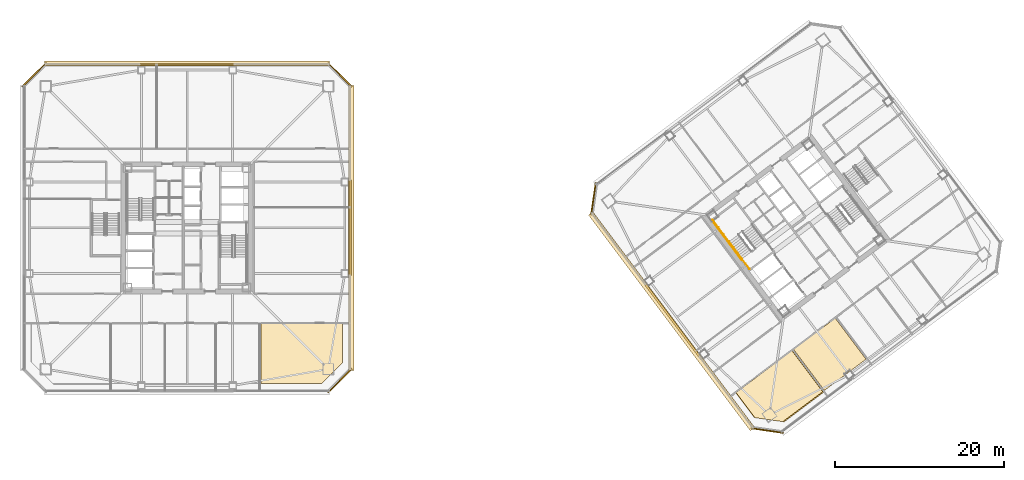
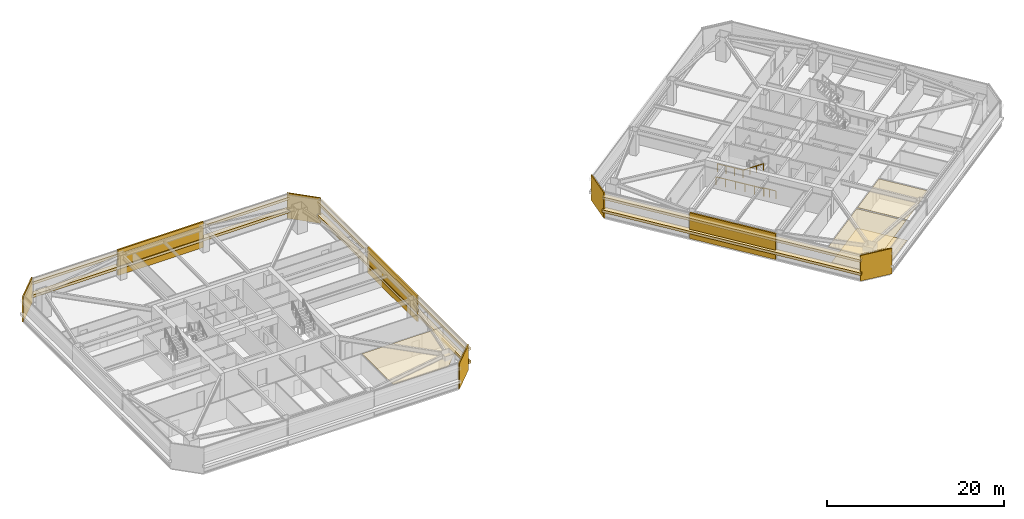
# One storey, part 38 of 41: 18 coverings, 4 railings.
"""IFC4 building model written with IfcOpenShell, lengths in metres."""

from ifc_helpers import new_model, si_unit, direction, frame, origin, origin_2d, place, context, subcontext, project, spatial, polyline, rectangle, outline, extrude, material, layer, layer_set, type_object, element, save


model = new_model("IFC4")

# Units and contexts
model_context = context("Model", 3, precision=1e-05, world=origin(), true_north=direction((0.0, 1.0)))
body_context = subcontext(model_context, "Body", "Model", "MODEL_VIEW")
ifc_project = project(units=[si_unit("LENGTHUNIT", "METRE"), si_unit("AREAUNIT", "SQUARE_METRE"), si_unit("VOLUMEUNIT", "CUBIC_METRE"), si_unit("PLANEANGLEUNIT", "RADIAN"), si_unit("MASSUNIT", "GRAM", prefix="KILO")], contexts=[model_context])

# Site, building, storey
site_placement = place(None, origin())
site = spatial("IfcSite", under=ifc_project, at=site_placement, CompositionType="ELEMENT")
building_placement = place(site_placement, origin())
building = spatial("IfcBuilding", under=site, at=building_placement, Name="Tashvorn Skyway Center", CompositionType="ELEMENT")
storey_placement = place(building_placement, frame((0.0, 0.0, 117.949951171875)))
storey = spatial("IfcBuildingStorey", under=building, at=storey_placement, Name="L31", CompositionType="ELEMENT", Elevation=117.949951171875)

# Coverings
ifc_material_1 = material(Name="Precast concrete C40/50", Category="concrete")
ifc_layer_1 = layer(ifc_material_1, 0.199951171875)
ifc_layer_set_1 = layer_set([ifc_layer_1], Name="Precast concrete C40/50")
covering_type_1 = type_object("IfcCoveringType", Name="COV-BRACE-CLAD", PredefinedType="CLADDING", material=ifc_layer_set_1)
for number, where, z_axis, x_axis, name in (
    (1, (42.0, 51.280029296875, 0.0), (0.0, 0.0, 1.0), (1.0, 0.0, 0.0), "Tower 1 L31 North Unitised Curtain Wall Mega-Brace Cladding Band 1"),
    (2, (61.280029296875, 32.0, 0.0), (0.0, 0.0, 1.0), (0.0, -1.0, 0.0), "Tower 1 L31 East Unitised Curtain Wall Mega-Brace Cladding Band 1"),
):
    element("IfcCovering", number, at=place(storey_placement, frame(where, z_axis=z_axis, x_axis=x_axis)), inside=storey, type_object=covering_type_1, Name=name, PredefinedType="CLADDING", context=body_context, shape_type="SweptSolid", body=[
        extrude(rectangle(XDim=11.1865234375, YDim=0.199951171875, at=origin_2d()), origin(), (0.0, 0.0, 1.0), 3.550048828125),
    ])
covering_1_placement = place(storey_placement, frame((99.3759765625, 21.031982421875, 0.0), z_axis=(0.0, 0.0, 1.0), x_axis=(-0.600000004945, 0.799999996291, 0.0)))
element("IfcCovering", 3, at=covering_1_placement, inside=storey, type_object=covering_type_1, Name="Tower 2 L31 West Unitised Curtain Wall Mega-Brace Cladding Band 1", PredefinedType="CLADDING", context=body_context, shape_type="SweptSolid", body=[
    extrude(rectangle(XDim=10.586669921875, YDim=0.199951171875, at=origin_2d()), origin(), (0.0, 0.0, 1.0), 3.550048828125),
])
ifc_material_2 = material(Name="Mineral-fibre acoustic ceiling tile on suspended grid")
ifc_layer_2 = layer(ifc_material_2, 0.02001953125)
ifc_layer_set_2 = layer_set([ifc_layer_2], Name="Mineral-fibre acoustic ceiling tile on suspended grid")
covering_type_2 = type_object("IfcCoveringType", Name="COV-CEIL-20", PredefinedType="CEILING", material=ifc_layer_set_2)
covering_2_placement = place(storey_placement, frame((0.0, 0.0, 2.703125)))
element("IfcCovering", 4, at=covering_2_placement, inside=storey, type_object=covering_type_2, Name="Tower 1 L31 Open Plan Office Acoustic Ceiling", PredefinedType="CEILING", context=body_context, shape_type="SweptSolid", body=[
    extrude(outline(polyline([(50.719970703125, 13.6201171875), (50.719970703125, 20.68994140625), (60.3798828125, 20.68994140625), (60.3798828125, 16.080078125), (57.919921875, 13.6201171875), (50.719970703125, 13.6201171875)])), origin(), (0.0, 0.0, 1.0), 0.02001953125),
])
covering_3_placement = place(storey_placement, frame((0.0, 0.0, 2.703125)))
element("IfcCovering", 5, at=covering_3_placement, inside=storey, type_object=covering_type_2, Name="Tower 2 L31 Executive Study Lounge Acoustic Ceiling", PredefinedType="CEILING", context=body_context, shape_type="SweptSolid", body=[
    extrude(outline(polyline([(106.882080078125, 12.52392578125), (113.489990234375, 17.47998046875), (117.132080078125, 12.6240234375), (112.412109375, 9.083984375), (109.10791015625, 9.555908203125), (106.882080078125, 12.52392578125)])), origin(), (0.0, 0.0, 1.0), 0.02001953125),
])
covering_4_placement = place(storey_placement, frame((0.0, 0.0, 2.703125)))
element("IfcCovering", 6, at=covering_4_placement, inside=storey, type_object=covering_type_2, Name="Tower 2 L31 Design Studio Acoustic Ceiling", PredefinedType="CEILING", context=body_context, shape_type="SweptSolid", body=[
    extrude(outline(polyline([(113.681884765625, 17.6240234375), (118.610107421875, 21.320068359375), (122.251953125, 16.464111328125), (117.323974609375, 12.76806640625), (113.681884765625, 17.6240234375)])), origin(), (0.0, 0.0, 1.0), 0.02001953125),
])
ifc_material_3 = material(Name="Polished Mojave desert-aggregate terrazzo and cover plate")
ifc_layer_3 = layer(ifc_material_3, 0.0400390625)
ifc_layer_set_3 = layer_set([ifc_layer_3], Name="Polished Mojave desert-aggregate terrazzo and cover plate")
covering_type_3 = type_object("IfcCoveringType", Name="COV-FLR-40", PredefinedType="FLOORING", material=ifc_layer_set_3)
covering_5_placement = place(storey_placement, origin())
element("IfcCovering", 7, at=covering_5_placement, inside=storey, type_object=covering_type_3, Name="Tower 2 L31 Executive Study Lounge Finish Flooring", PredefinedType="FLOORING", context=body_context, shape_type="SweptSolid", body=[
    extrude(outline(polyline([(112.580078125, 9.06005859375), (109.052001953125, 9.56396484375), (106.8740234375, 12.468017578125), (113.5458984375, 17.471923828125), (117.236083984375, 12.552001953125), (112.580078125, 9.06005859375)])), origin(), (0.0, 0.0, 1.0), 0.0400390625),
])
ifc_material_4 = material(Name="Perforated ceramic-coated bronze aluminium solar screen", Category="aluminium")
ifc_layer_4 = layer(ifc_material_4, 0.85009765625)
ifc_layer_set_4 = layer_set([ifc_layer_4], Name="Perforated ceramic-coated bronze aluminium solar screen")
covering_type_4 = type_object("IfcCoveringType", Name="COV-SOLAR-BAND", PredefinedType="CLADDING", material=ifc_layer_set_4)
for number, where, z_axis, x_axis, name in (
    (8, (42.0, 51.419921875, 0.919921875), (0.0, 0.0, 1.0), (1.0, 0.0, 0.0), "L31 Perforated Ceramic-Metal Solar Screen Louvre Band North 1"),
    (9, (42.0, 51.419921875, 2.72021484375), (0.0, 0.0, 1.0), (1.0, 0.0, 0.0), "L31 Perforated Ceramic-Metal Solar Screen Louvre Band North 2"),
    (10, (61.419921875, 32.0, 0.919921875), (0.0, 0.0, 1.0), (0.0, -1.0, 0.0), "L31 Perforated Ceramic-Metal Solar Screen Louvre Band East 1"),
    (11, (61.419921875, 32.0, 2.72021484375), (0.0, 0.0, 1.0), (0.0, -1.0, 0.0), "L31 Perforated Ceramic-Metal Solar Screen Louvre Band East 2"),
):
    element("IfcCovering", number, at=place(storey_placement, frame(where, z_axis=z_axis, x_axis=x_axis)), inside=storey, type_object=covering_type_4, Name=name, PredefinedType="CLADDING", context=body_context, shape_type="SweptSolid", body=[
        extrude(rectangle(XDim=33.679931640625, YDim=0.639892578125, at=origin_2d()), origin(), (0.0, 0.0, 1.0), 0.360107421875),
    ])
for number, where, z_axis, x_axis, name in (
    (12, (99.263916015625, 20.947998046875, 0.919921875), (0.0, 0.0, 1.0), (-0.600000004945, 0.799999996291, 0.0), "L31 Perforated Ceramic-Metal Solar Screen Louvre Band West 1"),
    (13, (99.263916015625, 20.947998046875, 2.72021484375), (0.0, 0.0, 1.0), (-0.600000004945, 0.799999996291, 0.0), "L31 Perforated Ceramic-Metal Solar Screen Louvre Band West 2"),
):
    element("IfcCovering", number, at=place(storey_placement, frame(where, z_axis=z_axis, x_axis=x_axis)), inside=storey, type_object=covering_type_4, Name=name, PredefinedType="CLADDING", context=body_context, shape_type="SweptSolid", body=[
        extrude(rectangle(XDim=31.8798828125, YDim=0.639892578125, at=origin_2d()), origin(), (0.0, 0.0, 1.0), 0.360107421875),
    ])
ifc_layer_5 = layer(ifc_material_1, 0.35009765625)
ifc_layer_set_5 = layer_set([ifc_layer_5], Name="Precast concrete C40/50")
covering_type_5 = type_object("IfcCoveringType", Name="COV-STONE-TRIM", PredefinedType="CLADDING", material=ifc_layer_set_5)
for number, where, z_axis, x_axis, name in (
    (14, (23.929931640625, 50.070068359375, 0.02001953125), (0.0, 0.0, 1.0), (-0.707106781187, -0.707106781187, 0.0), "Tower 1 L31 NW Mojave Limestone Corner Quoin"),
    (15, (60.070068359375, 50.070068359375, 0.02001953125), (0.0, 0.0, 1.0), (0.707106781187, -0.707106781187, 0.0), "Tower 1 L31 NE Mojave Limestone Corner Quoin"),
    (16, (60.070068359375, 13.929931640625, 0.02001953125), (0.0, 0.0, 1.0), (0.707106781187, 0.707106781187, 0.0), "Tower 1 L31 SE Mojave Limestone Corner Quoin"),
):
    element("IfcCovering", number, at=place(storey_placement, frame(where, z_axis=z_axis, x_axis=x_axis)), inside=storey, type_object=covering_type_5, Name=name, PredefinedType="CLADDING", context=body_context, shape_type="SweptSolid", body=[
        extrude(rectangle(XDim=3.978515625, YDim=0.139892578125, at=origin_2d()), origin(), (0.0, 0.0, 1.0), 3.510009765625),
    ])
for number, where, z_axis, x_axis, name in (
    (17, (110.575927734375, 8.031982421875, 0.02001953125), (0.0, 0.0, 1.0), (-0.989949494535, 0.141421350118, 0.0), "Tower 2 L31 SW Mojave Limestone Corner Quoin"),
    (18, (90.031982421875, 35.424072265625, 0.02001953125), (0.0, 0.0, 1.0), (-0.141421350118, -0.989949494535, 0.0), "Tower 2 L31 NW Mojave Limestone Corner Quoin"),
):
    element("IfcCovering", number, at=place(storey_placement, frame(where, z_axis=z_axis, x_axis=x_axis)), inside=storey, type_object=covering_type_5, Name=name, PredefinedType="CLADDING", context=body_context, shape_type="SweptSolid", body=[
        extrude(rectangle(XDim=3.8369140625, YDim=0.139892578125, at=origin_2d()), origin(), (0.0, 0.0, 1.0), 3.510009765625),
    ])

# Railings
ifc_material_5 = material(Name="Brushed stainless steel 316", Category="steel")
railing_type_1 = type_object("IfcRailingType", Name="RAIL-HAND-920", PredefinedType="HANDRAIL", material=ifc_material_5)
railing_1_placement = place(storey_placement, frame((106.072021484375, 30.35400390625, 1.95263671875)))
element("IfcRailing", 19, at=railing_1_placement, inside=storey, type_object=railing_type_1, Name="L31 ST-T2-1 stair handrail 2", PredefinedType="HANDRAIL", context=body_context, shape_type="SweptSolid", body=[
    extrude(rectangle(XDim=0.048095703125, YDim=0.048095703125, at=origin_2d()), frame((0.0, 0.0, 0.8759765625), z_axis=(0.506740800098, -0.675708949977, 0.535379469569), x_axis=(0.800023250257, 0.599968998406, 0.0)), (0.0, 0.0, 1.0), 2.983642578125),
    extrude(rectangle(XDim=0.0419921875, YDim=0.0419921875, at=origin_2d()), origin(), (0.0, 0.0, 1.0), 0.851806640625),
    extrude(rectangle(XDim=0.0419921875, YDim=0.0419921875, at=origin_2d()), frame((0.50390625, -0.672119140625, 0.532470703125)), (0.0, 0.0, 1.0), 0.851806640625),
    extrude(rectangle(XDim=0.0419921875, YDim=0.0419921875, at=origin_2d()), frame((1.008056640625, -1.343994140625, 1.06494140625)), (0.0, 0.0, 1.0), 0.851806640625),
    extrude(rectangle(XDim=0.0419921875, YDim=0.0419921875, at=origin_2d()), frame((1.511962890625, -2.01611328125, 1.597412109375)), (0.0, 0.0, 1.0), 0.851806640625),
])
ifc_material_6 = material(Name="Painted galvanized steel S355", Category="steel")
railing_type_2 = type_object("IfcRailingType", Name="RAIL-STGUARD-1100", PredefinedType="GUARDRAIL", material=ifc_material_6)
railing_2_placement = place(storey_placement, frame((106.072021484375, 30.35400390625, 1.775146484375)))
element("IfcRailing", 20, at=railing_2_placement, inside=storey, type_object=railing_type_2, Name="L31 ST-T2-1 stair guard 3", PredefinedType="GUARDRAIL", context=body_context, shape_type="SweptSolid", body=[
    extrude(rectangle(XDim=0.048095703125, YDim=0.048095703125, at=origin_2d()), frame((0.0, 0.0, 1.076171875), z_axis=(-0.599987638607, 0.800009270896, 0.0), x_axis=(-0.800009270896, -0.599987638607, 0.0)), (0.0, 0.0, 1.0), 3.16015625),
    extrude(rectangle(XDim=0.0419921875, YDim=0.0419921875, at=origin_2d()), origin(), (0.0, 0.0, 1.0), 1.052001953125),
    extrude(rectangle(XDim=0.0419921875, YDim=0.0419921875, at=origin_2d()), frame((-0.632080078125, 0.8427734375, 0.0)), (0.0, 0.0, 1.0), 1.052001953125),
    extrude(rectangle(XDim=0.0419921875, YDim=0.0419921875, at=origin_2d()), frame((-1.263916015625, 1.685302734375, 0.0)), (0.0, 0.0, 1.0), 1.052001953125),
    extrude(rectangle(XDim=0.0419921875, YDim=0.0419921875, at=origin_2d()), frame((-1.89599609375, 2.528076171875, 0.0)), (0.0, 0.0, 1.0), 1.052001953125),
])
railing_3_placement = place(storey_placement, frame((108.49609375, 27.1220703125, 0.0)))
element("IfcRailing", 21, at=railing_3_placement, inside=storey, type_object=railing_type_2, Name="L31 ST-T2-1 stair guard 6", PredefinedType="GUARDRAIL", context=body_context, shape_type="SweptSolid", body=[
    extrude(rectangle(XDim=0.048095703125, YDim=0.048095703125, at=origin_2d()), frame((0.0, 0.0, 1.076171875), z_axis=(-0.600102796382, 0.799922892393, 0.0), x_axis=(-0.799922892393, -0.600102796382, 0.0)), (0.0, 0.0, 1.0), 1.52001953125),
    extrude(rectangle(XDim=0.0419921875, YDim=0.0419921875, at=origin_2d()), origin(), (0.0, 0.0, 1.0), 1.052001953125),
    extrude(rectangle(XDim=0.0419921875, YDim=0.0419921875, at=origin_2d()), frame((-0.4560546875, 0.60791015625, 0.0)), (0.0, 0.0, 1.0), 1.052001953125),
    extrude(rectangle(XDim=0.0419921875, YDim=0.0419921875, at=origin_2d()), frame((-0.912109375, 1.2158203125, 0.0)), (0.0, 0.0, 1.0), 1.052001953125),
])
railing_4_placement = place(storey_placement, frame((107.56396484375, 28.197998046875, 0.0)))
element("IfcRailing", 22, at=railing_4_placement, inside=storey, type_object=railing_type_2, Name="L31 ST-T2-1 stair guard 7", PredefinedType="GUARDRAIL", context=body_context, shape_type="SweptSolid", body=[
    extrude(rectangle(XDim=0.048095703125, YDim=0.048095703125, at=origin_2d()), frame((0.0, 0.0, 1.076171875), z_axis=(-0.6, 0.8, 0.0), x_axis=(-0.8, -0.6, 0.0)), (0.0, 0.0, 1.0), 5.880126953125),
    extrude(rectangle(XDim=0.0419921875, YDim=0.0419921875, at=origin_2d()), origin(), (0.0, 0.0, 1.0), 1.052001953125),
    extrude(rectangle(XDim=0.0419921875, YDim=0.0419921875, at=origin_2d()), frame((-0.70556640625, 0.94091796875, 0.0)), (0.0, 0.0, 1.0), 1.052001953125),
    extrude(rectangle(XDim=0.0419921875, YDim=0.0419921875, at=origin_2d()), frame((-1.4111328125, 1.881591796875, 0.0)), (0.0, 0.0, 1.0), 1.052001953125),
    extrude(rectangle(XDim=0.0419921875, YDim=0.0419921875, at=origin_2d()), frame((-2.116943359375, 2.822509765625, 0.0)), (0.0, 0.0, 1.0), 1.052001953125),
    extrude(rectangle(XDim=0.0419921875, YDim=0.0419921875, at=origin_2d()), frame((-2.822509765625, 3.76318359375, 0.0)), (0.0, 0.0, 1.0), 1.052001953125),
    extrude(rectangle(XDim=0.0419921875, YDim=0.0419921875, at=origin_2d()), frame((-3.528076171875, 4.7041015625, 0.0)), (0.0, 0.0, 1.0), 1.052001953125),
])

save(model, "model.ifc")
